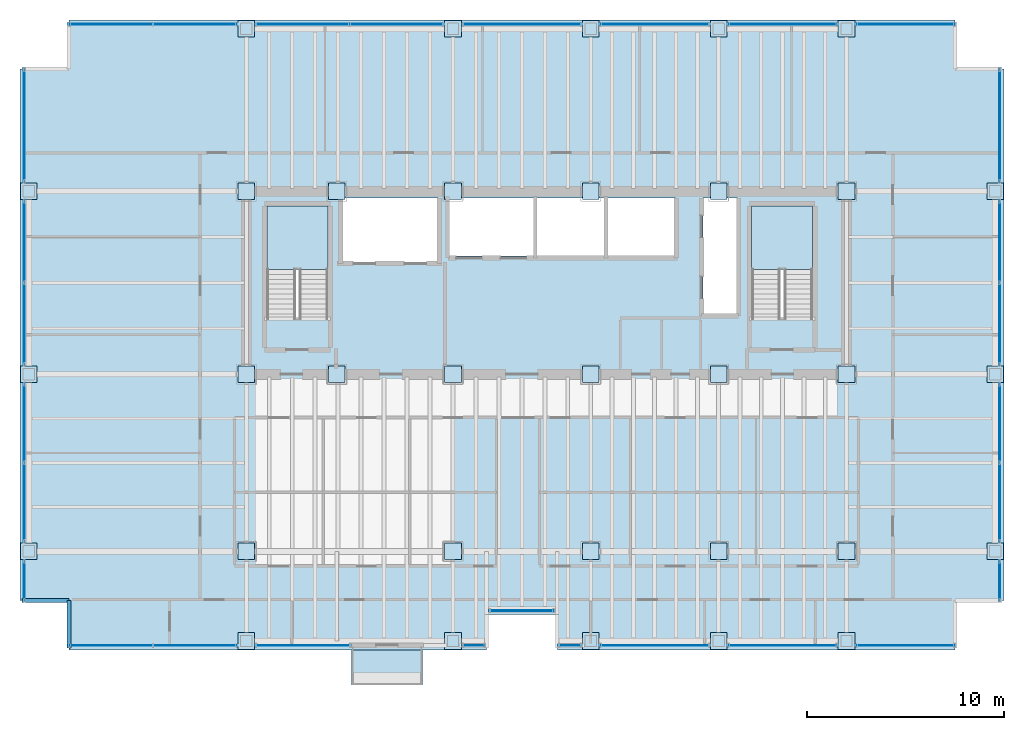
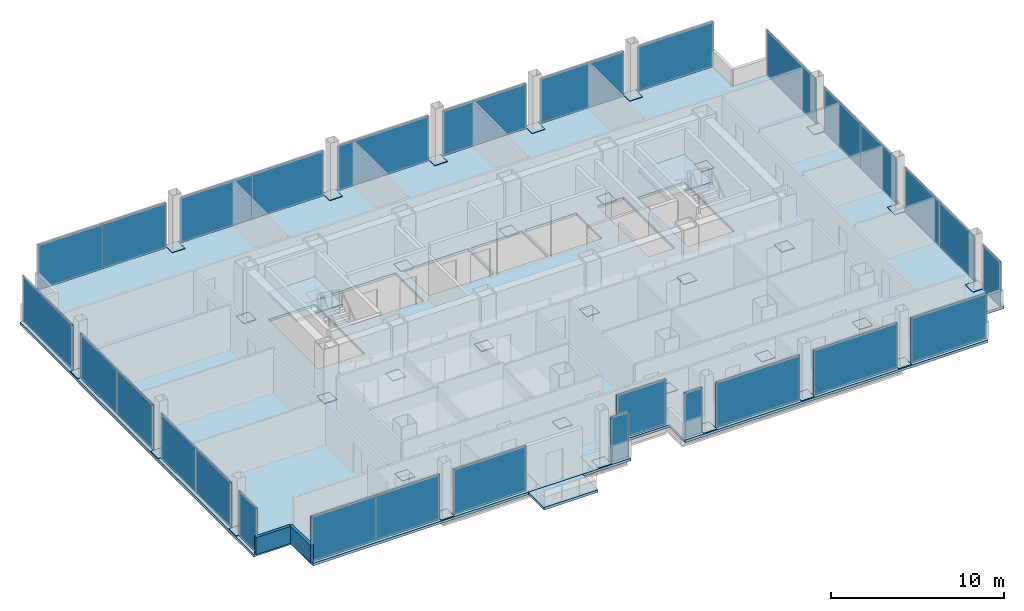
# One storey, part 17 of 21: 62 plates, 4 slabs, 2 walls, 7 openings, 24 elements without a shape of their own.
"""IFC4 building model written with IfcOpenShell, lengths in metres."""

from ifc_helpers import new_model, si_unit, direction, frame, frame_2d, origin, origin_2d, place, context, subcontext, project, spatial, polyline, rectangle, outline, extrude, material, layer, layer_set, type_object, element, aggregate, save


model = new_model("IFC4")

# Units and contexts
model_context = context("Model", 3, precision=1e-05, world=origin(), true_north=direction((0.0, 1.0)))
body_context = subcontext(model_context, "Body", "Model", "MODEL_VIEW")
ifc_project = project(units=[si_unit("LENGTHUNIT", "METRE"), si_unit("AREAUNIT", "SQUARE_METRE"), si_unit("VOLUMEUNIT", "CUBIC_METRE"), si_unit("PLANEANGLEUNIT", "RADIAN"), si_unit("MASSUNIT", "GRAM", prefix="KILO")], contexts=[model_context])

# Site, building, storey
site_placement = place(None, origin())
site = spatial("IfcSite", under=ifc_project, at=site_placement, CompositionType="ELEMENT")
building_placement = place(site_placement, origin())
building = spatial("IfcBuilding", under=site, at=building_placement, Name="Noeulbin Bourse Tower", CompositionType="ELEMENT")
storey_placement = place(building_placement, frame((0.0, 0.0, 30.39990234375)))
storey = spatial("IfcBuildingStorey", under=building, at=storey_placement, Name="L07", CompositionType="ELEMENT", Elevation=30.39990234375)

# Curtain wall, plate
ifc_material_1 = material(Name="Dark Solar-Control Double Glazing", Category="glass")
curtain_wall_type = type_object("IfcCurtainWallType", Name="CW-SYS-2", PredefinedType="NOTDEFINED", material=ifc_material_1)
curtain_wall_1_placement = place(storey_placement, origin())
curtain_wall_1 = element("IfcCurtainWall", 1, at=curtain_wall_1_placement, inside=storey, type_object=curtain_wall_type, Name="Unitised Curtain Wall CW-L07-SREC", PredefinedType="NOTDEFINED")
ifc_layer_1 = layer(ifc_material_1, 0.035888671875)
ifc_layer_set_1 = layer_set([ifc_layer_1], Name="Dark Solar-Control Double Glazing")
plate_type_1 = type_object("IfcPlateType", Name="CW-SYS-2-PNL", PredefinedType="CURTAIN_PANEL", material=ifc_layer_set_1)
plate_1_placement = place(storey_placement, frame((27.5, 16.97998046875, 0.0), z_axis=(0.0, 0.0, 1.0), x_axis=(1.0, 0.0, 0.0)))
plate_1 = element("IfcPlate", 2, at=plate_1_placement, type_object=plate_type_1, Name="Glazed Curtain Panel CW-L07-SREC-P00", PredefinedType="CURTAIN_PANEL", context=body_context, shape_type="SweptSolid", body=[
    extrude(rectangle(XDim=3.300048828125, YDim=0.035888671875, at=origin_2d()), origin(), (0.0, 0.0, 1.0), 3.179931640625),
])
aggregate(curtain_wall_1, [plate_1])

# Curtain wall, plates
curtain_wall_2_placement = place(storey_placement, origin())
curtain_wall_2 = element("IfcCurtainWall", 3, at=curtain_wall_2_placement, inside=storey, type_object=curtain_wall_type, Name="Unitised Curtain Wall CW-L07-S1-S1", PredefinedType="NOTDEFINED")
plate_2_placement = place(storey_placement, frame((6.6201171875, 15.219970703125, 0.0), z_axis=(0.0, 0.0, 1.0), x_axis=(1.0, 0.0, 0.0)))
plate_2 = element("IfcPlate", 4, at=plate_2_placement, type_object=plate_type_1, Name="Glazed Curtain Panel CW-L07-S1-S1-P00", PredefinedType="CURTAIN_PANEL", context=body_context, shape_type="SweptSolid", body=[
    extrude(rectangle(XDim=4.280029296875, YDim=0.035888671875, at=origin_2d()), origin(), (0.0, 0.0, 1.0), 3.179931640625),
])
plate_3_placement = place(storey_placement, frame((10.89990234375, 15.219970703125, 0.0), z_axis=(0.0, 0.0, 1.0), x_axis=(1.0, 0.0, 0.0)))
plate_3 = element("IfcPlate", 5, at=plate_3_placement, type_object=plate_type_1, Name="Glazed Curtain Panel CW-L07-S1-S1-P01", PredefinedType="CURTAIN_PANEL", context=body_context, shape_type="SweptSolid", body=[
    extrude(rectangle(XDim=4.280029296875, YDim=0.035888671875, at=origin_2d()), origin(), (0.0, 0.0, 1.0), 3.179931640625),
])
aggregate(curtain_wall_2, [plate_2, plate_3])

# Curtain wall, plate
curtain_wall_3_placement = place(storey_placement, origin())
curtain_wall_3 = element("IfcCurtainWall", 6, at=curtain_wall_3_placement, inside=storey, type_object=curtain_wall_type, Name="Unitised Curtain Wall CW-L07-S1-S2", PredefinedType="NOTDEFINED")
plate_4_placement = place(storey_placement, frame((16.3798828125, 15.219970703125, 0.0), z_axis=(0.0, 0.0, 1.0), x_axis=(1.0, 0.0, 0.0)))
plate_4 = element("IfcPlate", 7, at=plate_4_placement, type_object=plate_type_1, Name="Glazed Curtain Panel CW-L07-S1-S2-P00", PredefinedType="CURTAIN_PANEL", context=body_context, shape_type="SweptSolid", body=[
    extrude(rectangle(XDim=4.840087890625, YDim=0.035888671875, at=origin_2d()), origin(), (0.0, 0.0, 1.0), 3.179931640625),
])
aggregate(curtain_wall_3, [plate_4])

curtain_wall_4_placement = place(storey_placement, origin())
curtain_wall_4 = element("IfcCurtainWall", 8, at=curtain_wall_4_placement, inside=storey, type_object=curtain_wall_type, Name="Unitised Curtain Wall CW-L07-S2", PredefinedType="NOTDEFINED")
plate_5_placement = place(storey_placement, frame((25.054931640625, 15.219970703125, 0.0), z_axis=(0.0, 0.0, 1.0), x_axis=(1.0, 0.0, 0.0)))
plate_5 = element("IfcPlate", 9, at=plate_5_placement, type_object=plate_type_1, Name="Glazed Curtain Panel CW-L07-S2-P00", PredefinedType="CURTAIN_PANEL", context=body_context, shape_type="SweptSolid", body=[
    extrude(rectangle(XDim=1.18994140625, YDim=0.035888671875, at=origin_2d()), origin(), (0.0, 0.0, 1.0), 3.179931640625),
])
aggregate(curtain_wall_4, [plate_5])

curtain_wall_5_placement = place(storey_placement, origin())
curtain_wall_5 = element("IfcCurtainWall", 10, at=curtain_wall_5_placement, inside=storey, type_object=curtain_wall_type, Name="Unitised Curtain Wall CW-L07-S3-S1", PredefinedType="NOTDEFINED")
plate_6_placement = place(storey_placement, frame((29.945068359375, 15.219970703125, 0.0), z_axis=(0.0, 0.0, 1.0), x_axis=(1.0, 0.0, 0.0)))
plate_6 = element("IfcPlate", 11, at=plate_6_placement, type_object=plate_type_1, Name="Glazed Curtain Panel CW-L07-S3-S1-P00", PredefinedType="CURTAIN_PANEL", context=body_context, shape_type="SweptSolid", body=[
    extrude(rectangle(XDim=1.18994140625, YDim=0.035888671875, at=origin_2d()), origin(), (0.0, 0.0, 1.0), 3.179931640625),
])
aggregate(curtain_wall_5, [plate_6])

curtain_wall_6_placement = place(storey_placement, origin())
curtain_wall_6 = element("IfcCurtainWall", 12, at=curtain_wall_6_placement, inside=storey, type_object=curtain_wall_type, Name="Unitised Curtain Wall CW-L07-S3-S2", PredefinedType="NOTDEFINED")
plate_7_placement = place(storey_placement, frame((34.25, 15.219970703125, 0.0), z_axis=(0.0, 0.0, 1.0), x_axis=(1.0, 0.0, 0.0)))
plate_7 = element("IfcPlate", 13, at=plate_7_placement, type_object=plate_type_1, Name="Glazed Curtain Panel CW-L07-S3-S2-P00", PredefinedType="CURTAIN_PANEL", context=body_context, shape_type="SweptSolid", body=[
    extrude(rectangle(XDim=5.580078125, YDim=0.035888671875, at=origin_2d()), origin(), (0.0, 0.0, 1.0), 3.179931640625),
])
aggregate(curtain_wall_6, [plate_7])

curtain_wall_7_placement = place(storey_placement, origin())
curtain_wall_7 = element("IfcCurtainWall", 14, at=curtain_wall_7_placement, inside=storey, type_object=curtain_wall_type, Name="Unitised Curtain Wall CW-L07-S3-S3", PredefinedType="NOTDEFINED")
plate_8_placement = place(storey_placement, frame((40.75, 15.219970703125, 0.0), z_axis=(0.0, 0.0, 1.0), x_axis=(1.0, 0.0, 0.0)))
plate_8 = element("IfcPlate", 15, at=plate_8_placement, type_object=plate_type_1, Name="Glazed Curtain Panel CW-L07-S3-S3-P00", PredefinedType="CURTAIN_PANEL", context=body_context, shape_type="SweptSolid", body=[
    extrude(rectangle(XDim=5.580078125, YDim=0.035888671875, at=origin_2d()), origin(), (0.0, 0.0, 1.0), 3.179931640625),
])
aggregate(curtain_wall_7, [plate_8])

curtain_wall_8_placement = place(storey_placement, origin())
curtain_wall_8 = element("IfcCurtainWall", 16, at=curtain_wall_8_placement, inside=storey, type_object=curtain_wall_type, Name="Unitised Curtain Wall CW-L07-S3-S4", PredefinedType="NOTDEFINED")
plate_9_placement = place(storey_placement, frame((46.989990234375, 15.219970703125, 0.0), z_axis=(0.0, 0.0, 1.0), x_axis=(1.0, 0.0, 0.0)))
plate_9 = element("IfcPlate", 17, at=plate_9_placement, type_object=plate_type_1, Name="Glazed Curtain Panel CW-L07-S3-S4-P00", PredefinedType="CURTAIN_PANEL", context=body_context, shape_type="SweptSolid", body=[
    extrude(rectangle(XDim=5.06005859375, YDim=0.035888671875, at=origin_2d()), origin(), (0.0, 0.0, 1.0), 3.179931640625),
])
aggregate(curtain_wall_8, [plate_9])

# Curtain wall, plates
curtain_wall_9_placement = place(storey_placement, origin())
curtain_wall_9 = element("IfcCurtainWall", 18, at=curtain_wall_9_placement, inside=storey, type_object=curtain_wall_type, Name="Unitised Curtain Wall CW-L07-N-S1", PredefinedType="NOTDEFINED")
plate_10_placement = place(storey_placement, frame((6.6201171875, 46.780029296875, 0.0), z_axis=(0.0, 0.0, 1.0), x_axis=(1.0, 0.0, 0.0)))
plate_10 = element("IfcPlate", 19, at=plate_10_placement, type_object=plate_type_1, Name="Glazed Curtain Panel CW-L07-N-S1-P00", PredefinedType="CURTAIN_PANEL", context=body_context, shape_type="SweptSolid", body=[
    extrude(rectangle(XDim=4.280029296875, YDim=0.035888671875, at=origin_2d()), origin(), (0.0, 0.0, 1.0), 3.179931640625),
])
plate_11_placement = place(storey_placement, frame((10.89990234375, 46.780029296875, 0.0), z_axis=(0.0, 0.0, 1.0), x_axis=(1.0, 0.0, 0.0)))
plate_11 = element("IfcPlate", 20, at=plate_11_placement, type_object=plate_type_1, Name="Glazed Curtain Panel CW-L07-N-S1-P01", PredefinedType="CURTAIN_PANEL", context=body_context, shape_type="SweptSolid", body=[
    extrude(rectangle(XDim=4.280029296875, YDim=0.035888671875, at=origin_2d()), origin(), (0.0, 0.0, 1.0), 3.179931640625),
])
aggregate(curtain_wall_9, [plate_10, plate_11])

curtain_wall_10_placement = place(storey_placement, origin())
curtain_wall_10 = element("IfcCurtainWall", 21, at=curtain_wall_10_placement, inside=storey, type_object=curtain_wall_type, Name="Unitised Curtain Wall CW-L07-N-S2", PredefinedType="NOTDEFINED")
plate_12_placement = place(storey_placement, frame((16.35498046875, 46.780029296875, 0.0), z_axis=(0.0, 0.0, 1.0), x_axis=(1.0, 0.0, 0.0)))
plate_12 = element("IfcPlate", 22, at=plate_12_placement, type_object=plate_type_1, Name="Glazed Curtain Panel CW-L07-N-S2-P00", PredefinedType="CURTAIN_PANEL", context=body_context, shape_type="SweptSolid", body=[
    extrude(rectangle(XDim=4.7900390625, YDim=0.035888671875, at=origin_2d()), origin(), (0.0, 0.0, 1.0), 3.179931640625),
])
plate_13_placement = place(storey_placement, frame((21.14501953125, 46.780029296875, 0.0), z_axis=(0.0, 0.0, 1.0), x_axis=(1.0, 0.0, 0.0)))
plate_13 = element("IfcPlate", 23, at=plate_13_placement, type_object=plate_type_1, Name="Glazed Curtain Panel CW-L07-N-S2-P01", PredefinedType="CURTAIN_PANEL", context=body_context, shape_type="SweptSolid", body=[
    extrude(rectangle(XDim=4.7900390625, YDim=0.035888671875, at=origin_2d()), origin(), (0.0, 0.0, 1.0), 3.179931640625),
])
aggregate(curtain_wall_10, [plate_12, plate_13])

# Curtain wall, plate
curtain_wall_11_placement = place(storey_placement, origin())
curtain_wall_11 = element("IfcCurtainWall", 24, at=curtain_wall_11_placement, inside=storey, type_object=curtain_wall_type, Name="Unitised Curtain Wall CW-L07-N-S3", PredefinedType="NOTDEFINED")
plate_14_placement = place(storey_placement, frame((27.5, 46.780029296875, 0.0), z_axis=(0.0, 0.0, 1.0), x_axis=(1.0, 0.0, 0.0)))
plate_14 = element("IfcPlate", 25, at=plate_14_placement, type_object=plate_type_1, Name="Glazed Curtain Panel CW-L07-N-S3-P00", PredefinedType="CURTAIN_PANEL", context=body_context, shape_type="SweptSolid", body=[
    extrude(rectangle(XDim=6.080078125, YDim=0.035888671875, at=origin_2d()), origin(), (0.0, 0.0, 1.0), 3.179931640625),
])
aggregate(curtain_wall_11, [plate_14])

curtain_wall_12_placement = place(storey_placement, origin())
curtain_wall_12 = element("IfcCurtainWall", 26, at=curtain_wall_12_placement, inside=storey, type_object=curtain_wall_type, Name="Unitised Curtain Wall CW-L07-N-S4", PredefinedType="NOTDEFINED")
plate_15_placement = place(storey_placement, frame((34.25, 46.780029296875, 0.0), z_axis=(0.0, 0.0, 1.0), x_axis=(1.0, 0.0, 0.0)))
plate_15 = element("IfcPlate", 27, at=plate_15_placement, type_object=plate_type_1, Name="Glazed Curtain Panel CW-L07-N-S4-P00", PredefinedType="CURTAIN_PANEL", context=body_context, shape_type="SweptSolid", body=[
    extrude(rectangle(XDim=5.580078125, YDim=0.035888671875, at=origin_2d()), origin(), (0.0, 0.0, 1.0), 3.179931640625),
])
aggregate(curtain_wall_12, [plate_15])

curtain_wall_13_placement = place(storey_placement, origin())
curtain_wall_13 = element("IfcCurtainWall", 28, at=curtain_wall_13_placement, inside=storey, type_object=curtain_wall_type, Name="Unitised Curtain Wall CW-L07-N-S5", PredefinedType="NOTDEFINED")
plate_16_placement = place(storey_placement, frame((40.75, 46.780029296875, 0.0), z_axis=(0.0, 0.0, 1.0), x_axis=(1.0, 0.0, 0.0)))
plate_16 = element("IfcPlate", 29, at=plate_16_placement, type_object=plate_type_1, Name="Glazed Curtain Panel CW-L07-N-S5-P00", PredefinedType="CURTAIN_PANEL", context=body_context, shape_type="SweptSolid", body=[
    extrude(rectangle(XDim=5.580078125, YDim=0.035888671875, at=origin_2d()), origin(), (0.0, 0.0, 1.0), 3.179931640625),
])
aggregate(curtain_wall_13, [plate_16])

curtain_wall_14_placement = place(storey_placement, origin())
curtain_wall_14 = element("IfcCurtainWall", 30, at=curtain_wall_14_placement, inside=storey, type_object=curtain_wall_type, Name="Unitised Curtain Wall CW-L07-N-S6", PredefinedType="NOTDEFINED")
plate_17_placement = place(storey_placement, frame((46.989990234375, 46.780029296875, 0.0), z_axis=(0.0, 0.0, 1.0), x_axis=(1.0, 0.0, 0.0)))
plate_17 = element("IfcPlate", 31, at=plate_17_placement, type_object=plate_type_1, Name="Glazed Curtain Panel CW-L07-N-S6-P00", PredefinedType="CURTAIN_PANEL", context=body_context, shape_type="SweptSolid", body=[
    extrude(rectangle(XDim=5.06005859375, YDim=0.035888671875, at=origin_2d()), origin(), (0.0, 0.0, 1.0), 3.179931640625),
])
aggregate(curtain_wall_14, [plate_17])

curtain_wall_15_placement = place(storey_placement, origin())
curtain_wall_15 = element("IfcCurtainWall", 32, at=curtain_wall_15_placement, inside=storey, type_object=curtain_wall_type, Name="Unitised Curtain Wall CW-L07-W-S1", PredefinedType="NOTDEFINED")
plate_18_placement = place(storey_placement, frame((2.219970703125, 18.510009765625, 0.0), z_axis=(0.0, 0.0, 1.0), x_axis=(0.0, 1.0, 0.0)))
plate_18 = element("IfcPlate", 33, at=plate_18_placement, type_object=plate_type_1, Name="Glazed Curtain Panel CW-L07-W-S1-P00", PredefinedType="CURTAIN_PANEL", context=body_context, shape_type="SweptSolid", body=[
    extrude(rectangle(XDim=2.06005859375, YDim=0.035888671875, at=origin_2d()), origin(), (0.0, 0.0, 1.0), 3.179931640625),
])
aggregate(curtain_wall_15, [plate_18])

# Curtain wall, plates
curtain_wall_16_placement = place(storey_placement, origin())
curtain_wall_16 = element("IfcCurtainWall", 34, at=curtain_wall_16_placement, inside=storey, type_object=curtain_wall_type, Name="Unitised Curtain Wall CW-L07-W-S2", PredefinedType="NOTDEFINED")
plate_19_placement = place(storey_placement, frame((2.219970703125, 22.47998046875, 0.0), z_axis=(0.0, 0.0, 1.0), x_axis=(0.0, 1.0, 0.0)))
plate_19 = element("IfcPlate", 35, at=plate_19_placement, type_object=plate_type_1, Name="Glazed Curtain Panel CW-L07-W-S2-P00", PredefinedType="CURTAIN_PANEL", context=body_context, shape_type="SweptSolid", body=[
    extrude(rectangle(XDim=4.0400390625, YDim=0.035888671875, at=origin_2d()), origin(), (0.0, 0.0, 1.0), 3.179931640625),
])
plate_20_placement = place(storey_placement, frame((2.219970703125, 26.52001953125, 0.0), z_axis=(0.0, 0.0, 1.0), x_axis=(0.0, 1.0, 0.0)))
plate_20 = element("IfcPlate", 36, at=plate_20_placement, type_object=plate_type_1, Name="Glazed Curtain Panel CW-L07-W-S2-P01", PredefinedType="CURTAIN_PANEL", context=body_context, shape_type="SweptSolid", body=[
    extrude(rectangle(XDim=4.0400390625, YDim=0.035888671875, at=origin_2d()), origin(), (0.0, 0.0, 1.0), 3.179931640625),
])
aggregate(curtain_wall_16, [plate_19, plate_20])

curtain_wall_17_placement = place(storey_placement, origin())
curtain_wall_17 = element("IfcCurtainWall", 37, at=curtain_wall_17_placement, inside=storey, type_object=curtain_wall_type, Name="Unitised Curtain Wall CW-L07-W-S3", PredefinedType="NOTDEFINED")
plate_21_placement = place(storey_placement, frame((2.219970703125, 31.554931640625, 0.0), z_axis=(0.0, 0.0, 1.0), x_axis=(0.0, 1.0, 0.0)))
plate_21 = element("IfcPlate", 38, at=plate_21_placement, type_object=plate_type_1, Name="Glazed Curtain Panel CW-L07-W-S3-P00", PredefinedType="CURTAIN_PANEL", context=body_context, shape_type="SweptSolid", body=[
    extrude(rectangle(XDim=4.18994140625, YDim=0.035888671875, at=origin_2d()), origin(), (0.0, 0.0, 1.0), 3.179931640625),
])
plate_22_placement = place(storey_placement, frame((2.219970703125, 35.7451171875, 0.0), z_axis=(0.0, 0.0, 1.0), x_axis=(0.0, 1.0, 0.0)))
plate_22 = element("IfcPlate", 39, at=plate_22_placement, type_object=plate_type_1, Name="Glazed Curtain Panel CW-L07-W-S3-P01", PredefinedType="CURTAIN_PANEL", context=body_context, shape_type="SweptSolid", body=[
    extrude(rectangle(XDim=4.18994140625, YDim=0.035888671875, at=origin_2d()), origin(), (0.0, 0.0, 1.0), 3.179931640625),
])
aggregate(curtain_wall_17, [plate_21, plate_22])

# Curtain wall, plate
curtain_wall_18_placement = place(storey_placement, origin())
curtain_wall_18 = element("IfcCurtainWall", 40, at=curtain_wall_18_placement, inside=storey, type_object=curtain_wall_type, Name="Unitised Curtain Wall CW-L07-W-S4", PredefinedType="NOTDEFINED")
plate_23_placement = place(storey_placement, frame((2.219970703125, 41.639892578125, 0.0), z_axis=(0.0, 0.0, 1.0), x_axis=(0.0, 1.0, 0.0)))
plate_23 = element("IfcPlate", 41, at=plate_23_placement, type_object=plate_type_1, Name="Glazed Curtain Panel CW-L07-W-S4-P00", PredefinedType="CURTAIN_PANEL", context=body_context, shape_type="SweptSolid", body=[
    extrude(rectangle(XDim=5.760009765625, YDim=0.035888671875, at=origin_2d()), origin(), (0.0, 0.0, 1.0), 3.179931640625),
])
aggregate(curtain_wall_18, [plate_23])

curtain_wall_19_placement = place(storey_placement, origin())
curtain_wall_19 = element("IfcCurtainWall", 42, at=curtain_wall_19_placement, inside=storey, type_object=curtain_wall_type, Name="Unitised Curtain Wall CW-L07-E-S1", PredefinedType="NOTDEFINED")
plate_24_placement = place(storey_placement, frame((51.780029296875, 18.510009765625, 0.0), z_axis=(0.0, 0.0, 1.0), x_axis=(0.0, 1.0, 0.0)))
plate_24 = element("IfcPlate", 43, at=plate_24_placement, type_object=plate_type_1, Name="Glazed Curtain Panel CW-L07-E-S1-P00", PredefinedType="CURTAIN_PANEL", context=body_context, shape_type="SweptSolid", body=[
    extrude(rectangle(XDim=2.06005859375, YDim=0.035888671875, at=origin_2d()), origin(), (0.0, 0.0, 1.0), 3.179931640625),
])
aggregate(curtain_wall_19, [plate_24])

# Curtain wall, plates
curtain_wall_20_placement = place(storey_placement, origin())
curtain_wall_20 = element("IfcCurtainWall", 44, at=curtain_wall_20_placement, inside=storey, type_object=curtain_wall_type, Name="Unitised Curtain Wall CW-L07-E-S2", PredefinedType="NOTDEFINED")
plate_25_placement = place(storey_placement, frame((51.780029296875, 22.47998046875, 0.0), z_axis=(0.0, 0.0, 1.0), x_axis=(0.0, 1.0, 0.0)))
plate_25 = element("IfcPlate", 45, at=plate_25_placement, type_object=plate_type_1, Name="Glazed Curtain Panel CW-L07-E-S2-P00", PredefinedType="CURTAIN_PANEL", context=body_context, shape_type="SweptSolid", body=[
    extrude(rectangle(XDim=4.0400390625, YDim=0.035888671875, at=origin_2d()), origin(), (0.0, 0.0, 1.0), 3.179931640625),
])
plate_26_placement = place(storey_placement, frame((51.780029296875, 26.52001953125, 0.0), z_axis=(0.0, 0.0, 1.0), x_axis=(0.0, 1.0, 0.0)))
plate_26 = element("IfcPlate", 46, at=plate_26_placement, type_object=plate_type_1, Name="Glazed Curtain Panel CW-L07-E-S2-P01", PredefinedType="CURTAIN_PANEL", context=body_context, shape_type="SweptSolid", body=[
    extrude(rectangle(XDim=4.0400390625, YDim=0.035888671875, at=origin_2d()), origin(), (0.0, 0.0, 1.0), 3.179931640625),
])
aggregate(curtain_wall_20, [plate_25, plate_26])

curtain_wall_21_placement = place(storey_placement, origin())
curtain_wall_21 = element("IfcCurtainWall", 47, at=curtain_wall_21_placement, inside=storey, type_object=curtain_wall_type, Name="Unitised Curtain Wall CW-L07-E-S3", PredefinedType="NOTDEFINED")
plate_27_placement = place(storey_placement, frame((51.780029296875, 31.554931640625, 0.0), z_axis=(0.0, 0.0, 1.0), x_axis=(0.0, 1.0, 0.0)))
plate_27 = element("IfcPlate", 48, at=plate_27_placement, type_object=plate_type_1, Name="Glazed Curtain Panel CW-L07-E-S3-P00", PredefinedType="CURTAIN_PANEL", context=body_context, shape_type="SweptSolid", body=[
    extrude(rectangle(XDim=4.18994140625, YDim=0.035888671875, at=origin_2d()), origin(), (0.0, 0.0, 1.0), 3.179931640625),
])
plate_28_placement = place(storey_placement, frame((51.780029296875, 35.7451171875, 0.0), z_axis=(0.0, 0.0, 1.0), x_axis=(0.0, 1.0, 0.0)))
plate_28 = element("IfcPlate", 49, at=plate_28_placement, type_object=plate_type_1, Name="Glazed Curtain Panel CW-L07-E-S3-P01", PredefinedType="CURTAIN_PANEL", context=body_context, shape_type="SweptSolid", body=[
    extrude(rectangle(XDim=4.18994140625, YDim=0.035888671875, at=origin_2d()), origin(), (0.0, 0.0, 1.0), 3.179931640625),
])
aggregate(curtain_wall_21, [plate_27, plate_28])

# Curtain wall, plate
curtain_wall_22_placement = place(storey_placement, origin())
curtain_wall_22 = element("IfcCurtainWall", 50, at=curtain_wall_22_placement, inside=storey, type_object=curtain_wall_type, Name="Unitised Curtain Wall CW-L07-E-S4", PredefinedType="NOTDEFINED")
plate_29_placement = place(storey_placement, frame((51.780029296875, 41.639892578125, 0.0), z_axis=(0.0, 0.0, 1.0), x_axis=(0.0, 1.0, 0.0)))
plate_29 = element("IfcPlate", 51, at=plate_29_placement, type_object=plate_type_1, Name="Glazed Curtain Panel CW-L07-E-S4-P00", PredefinedType="CURTAIN_PANEL", context=body_context, shape_type="SweptSolid", body=[
    extrude(rectangle(XDim=5.760009765625, YDim=0.035888671875, at=origin_2d()), origin(), (0.0, 0.0, 1.0), 3.179931640625),
])
aggregate(curtain_wall_22, [plate_29])

# Plates
ifc_material_2 = material(Name="Steel S355", Category="steel")
ifc_layer_2 = layer(ifc_material_2, 0.030029296875)
ifc_layer_set_2 = layer_set([ifc_layer_2], Name="Steel S355")
plate_type_2 = type_object("IfcPlateType", Name="PLT-BN1", PredefinedType="USERDEFINED", material=ifc_layer_set_2)
for number, where, z_axis, x_axis, name in (
    (52, (13.5, 29.0, 0.0048828125), (0.0, 0.0, 1.0), (1.0, 0.0, 0.0), "Mega-Column Splice Plate BN1-L07-01"),
    (53, (13.5, 38.300048828125, 0.0048828125), (0.0, 0.0, 1.0), (1.0, 0.0, 0.0), "Mega-Column Splice Plate BN1-L07-02"),
    (54, (18.10009765625, 29.0, 0.0048828125), (0.0, 0.0, 1.0), (1.0, 0.0, 0.0), "Mega-Column Splice Plate BN1-L07-03"),
    (55, (18.10009765625, 38.300048828125, 0.0048828125), (0.0, 0.0, 1.0), (1.0, 0.0, 0.0), "Mega-Column Splice Plate BN1-L07-04"),
    (56, (24.0, 29.0, 0.0048828125), (0.0, 0.0, 1.0), (1.0, 0.0, 0.0), "Mega-Column Splice Plate BN1-L07-05"),
    (57, (24.0, 38.300048828125, 0.0048828125), (0.0, 0.0, 1.0), (1.0, 0.0, 0.0), "Mega-Column Splice Plate BN1-L07-06"),
    (58, (31.0, 29.0, 0.0048828125), (0.0, 0.0, 1.0), (1.0, 0.0, 0.0), "Mega-Column Splice Plate BN1-L07-07"),
    (59, (31.0, 38.300048828125, 0.0048828125), (0.0, 0.0, 1.0), (1.0, 0.0, 0.0), "Mega-Column Splice Plate BN1-L07-08"),
    (60, (37.5, 29.0, 0.0048828125), (0.0, 0.0, 1.0), (1.0, 0.0, 0.0), "Mega-Column Splice Plate BN1-L07-09"),
    (61, (37.5, 38.300048828125, 0.0048828125), (0.0, 0.0, 1.0), (1.0, 0.0, 0.0), "Mega-Column Splice Plate BN1-L07-10"),
    (62, (44.0, 29.0, 0.0048828125), (0.0, 0.0, 1.0), (1.0, 0.0, 0.0), "Mega-Column Splice Plate BN1-L07-11"),
    (63, (44.0, 38.300048828125, 0.0048828125), (0.0, 0.0, 1.0), (1.0, 0.0, 0.0), "Mega-Column Splice Plate BN1-L07-12"),
    (64, (13.5, 20.0, 0.0048828125), (0.0, 0.0, 1.0), (1.0, 0.0, 0.0), "Mega-Column Splice Plate BN1-L07-13"),
    (65, (24.0, 20.0, 0.0048828125), (0.0, 0.0, 1.0), (1.0, 0.0, 0.0), "Mega-Column Splice Plate BN1-L07-14"),
    (66, (31.0, 20.0, 0.0048828125), (0.0, 0.0, 1.0), (1.0, 0.0, 0.0), "Mega-Column Splice Plate BN1-L07-15"),
    (67, (37.5, 20.0, 0.0048828125), (0.0, 0.0, 1.0), (1.0, 0.0, 0.0), "Mega-Column Splice Plate BN1-L07-16"),
    (68, (44.0, 20.0, 0.0048828125), (0.0, 0.0, 1.0), (1.0, 0.0, 0.0), "Mega-Column Splice Plate BN1-L07-17"),
    (69, (2.449951171875, 20.0, 0.0048828125), (0.0, 0.0, 1.0), (1.0, 0.0, 0.0), "Perimeter Column Splice Plate BN1-L07-01"),
    (70, (2.449951171875, 29.0, 0.0048828125), (0.0, 0.0, 1.0), (1.0, 0.0, 0.0), "Perimeter Column Splice Plate BN1-L07-02"),
    (71, (2.449951171875, 38.300048828125, 0.0048828125), (0.0, 0.0, 1.0), (1.0, 0.0, 0.0), "Perimeter Column Splice Plate BN1-L07-03"),
    (72, (13.5, 15.449951171875, 0.0048828125), (0.0, 0.0, 1.0), (1.0, 0.0, 0.0), "Perimeter Column Splice Plate BN1-L07-04"),
    (73, (13.5, 46.550048828125, 0.0048828125), (0.0, 0.0, 1.0), (1.0, 0.0, 0.0), "Perimeter Column Splice Plate BN1-L07-05"),
    (74, (24.0, 15.449951171875, 0.0048828125), (0.0, 0.0, 1.0), (1.0, 0.0, 0.0), "Perimeter Column Splice Plate BN1-L07-06"),
    (75, (24.0, 46.550048828125, 0.0048828125), (0.0, 0.0, 1.0), (1.0, 0.0, 0.0), "Perimeter Column Splice Plate BN1-L07-07"),
    (76, (31.0, 15.449951171875, 0.0048828125), (0.0, 0.0, 1.0), (1.0, 0.0, 0.0), "Perimeter Column Splice Plate BN1-L07-08"),
    (77, (31.0, 46.550048828125, 0.0048828125), (0.0, 0.0, 1.0), (1.0, 0.0, 0.0), "Perimeter Column Splice Plate BN1-L07-09"),
    (78, (37.5, 15.449951171875, 0.0048828125), (0.0, 0.0, 1.0), (1.0, 0.0, 0.0), "Perimeter Column Splice Plate BN1-L07-10"),
    (79, (37.5, 46.550048828125, 0.0048828125), (0.0, 0.0, 1.0), (1.0, 0.0, 0.0), "Perimeter Column Splice Plate BN1-L07-11"),
    (80, (44.0, 15.449951171875, 0.0048828125), (0.0, 0.0, 1.0), (1.0, 0.0, 0.0), "Perimeter Column Splice Plate BN1-L07-12"),
    (81, (44.0, 46.550048828125, 0.0048828125), (0.0, 0.0, 1.0), (1.0, 0.0, 0.0), "Perimeter Column Splice Plate BN1-L07-13"),
    (82, (51.550048828125, 20.0, 0.0048828125), (0.0, 0.0, 1.0), (1.0, 0.0, 0.0), "Perimeter Column Splice Plate BN1-L07-14"),
    (83, (51.550048828125, 29.0, 0.0048828125), (0.0, 0.0, 1.0), (1.0, 0.0, 0.0), "Perimeter Column Splice Plate BN1-L07-15"),
    (84, (51.550048828125, 38.300048828125, 0.0048828125), (0.0, 0.0, 1.0), (1.0, 0.0, 0.0), "Perimeter Column Splice Plate BN1-L07-16"),
):
    element("IfcPlate", number, at=place(storey_placement, frame(where, z_axis=z_axis, x_axis=x_axis)), inside=storey, type_object=plate_type_2, Name=name, ObjectType="SPLICE PLATE", PredefinedType="USERDEFINED", context=body_context, shape_type="SweptSolid", body=[
        extrude(rectangle(XDim=0.85009765625, YDim=0.85009765625, at=origin_2d()), origin(), (0.0, 0.0, 1.0), 0.030029296875),
    ])

# Stair, slab
ifc_material_3 = material(Name="Concrete C40/50", Category="concrete")
stair_type = type_object("IfcStairType", Name="STR-CORE-1560", PredefinedType="HALF_TURN_STAIR", material=ifc_material_3)
stair_1_placement = place(storey_placement, origin())
stair_1 = element("IfcStair", 85, at=stair_1_placement, inside=storey, type_object=stair_type, Name="L07 ST-1", PredefinedType="HALF_TURN_STAIR")
ifc_layer_3 = layer(ifc_material_3, 0.199951171875)
ifc_layer_set_3 = layer_set([ifc_layer_3], Name="Concrete C40/50")
slab_type_1 = type_object("IfcSlabType", Name="SLB-LND-200", PredefinedType="LANDING", material=ifc_layer_set_3)
slab_1_placement = place(storey_placement, frame((0.0, 0.0, 1.75)))
slab_1 = element("IfcSlab", 86, at=slab_1_placement, type_object=slab_type_1, Name="ST-1 landing 1", PredefinedType="LANDING", context=body_context, shape_type="SweptSolid", body=[
    extrude(outline(polyline([(17.64990234375, 34.330078125), (17.64990234375, 37.5439453125), (14.550048828125, 37.5439453125), (14.550048828125, 34.330078125), (17.64990234375, 34.330078125)])), origin(), (0.0, 0.0, 1.0), 0.2001953125),
])
aggregate(stair_1, [slab_1])

stair_2_placement = place(storey_placement, origin())
stair_2 = element("IfcStair", 87, at=stair_2_placement, inside=storey, type_object=stair_type, Name="L07 ST-2", PredefinedType="HALF_TURN_STAIR")
slab_2_placement = place(storey_placement, frame((0.0, 0.0, 1.75)))
slab_2 = element("IfcSlab", 88, at=slab_2_placement, type_object=slab_type_1, Name="ST-2 landing 1", PredefinedType="LANDING", context=body_context, shape_type="SweptSolid", body=[
    extrude(outline(polyline([(42.280029296875, 34.330078125), (42.280029296875, 37.5439453125), (39.179931640625, 37.5439453125), (39.179931640625, 34.330078125), (42.280029296875, 34.330078125)])), origin(), (0.0, 0.0, 1.0), 0.2001953125),
])
aggregate(stair_2, [slab_2])

# Slab, openings
ifc_layer_4 = layer(ifc_material_3, 0.179931640625)
ifc_layer_set_4 = layer_set([ifc_layer_4], Name="Concrete C40/50")
slab_type_2 = type_object("IfcSlabType", Name="SLB-TYP-180", PredefinedType="FLOOR", material=ifc_layer_set_4)
slab_3_placement = place(storey_placement, frame((0.0, 0.0, -0.179931640625)))
slab_3 = element("IfcSlab", 89, at=slab_3_placement, inside=storey, type_object=slab_type_2, Name="Tower Structural Floor Slab L07", PredefinedType="FLOOR", context=body_context, shape_type="SweptSolid", body=[
    extrude(outline(polyline([(4.5, 15.0), (25.699951171875, 15.0), (25.699951171875, 16.800048828125), (29.300048828125, 16.800048828125), (29.300048828125, 15.0), (49.5, 15.0), (49.5, 17.5), (52.0, 17.5), (52.0, 44.5), (49.5, 44.5), (49.5, 47.0), (4.5, 47.0), (4.5, 44.5), (2.0, 44.5), (2.0, 17.5), (4.5, 17.5), (4.5, 15.0)]), holes=[polyline([(17.64990234375, 31.81005859375), (17.64990234375, 37.5439453125), (14.550048828125, 37.5439453125), (14.550048828125, 31.81005859375), (17.64990234375, 31.81005859375)]), polyline([(42.280029296875, 31.81005859375), (42.280029296875, 37.5439453125), (39.179931640625, 37.5439453125), (39.179931640625, 31.81005859375), (42.280029296875, 31.81005859375)]), polyline([(18.35009765625, 34.699951171875), (23.25, 34.699951171875), (23.25, 37.949951171875), (18.35009765625, 37.949951171875), (18.35009765625, 34.699951171875)]), polyline([(36.699951171875, 32.050048828125), (38.449951171875, 32.050048828125), (38.449951171875, 37.949951171875), (36.699951171875, 37.949951171875), (36.699951171875, 32.050048828125)]), polyline([(23.800048828125, 35.0), (28.10009765625, 35.0), (28.10009765625, 37.949951171875), (23.800048828125, 37.949951171875), (23.800048828125, 35.0)]), polyline([(28.25, 35.0), (31.699951171875, 35.0), (31.699951171875, 37.949951171875), (28.25, 37.949951171875), (28.25, 35.0)]), polyline([(31.85009765625, 35.0), (35.300048828125, 35.0), (35.300048828125, 37.949951171875), (31.85009765625, 37.949951171875), (31.85009765625, 35.0)])]), origin(), (0.0, 0.0, 1.0), 0.179931640625),
])
opening_1_placement = place(slab_3_placement, frame((0.0, 0.0, -0.010009765625)))
element("IfcOpeningElement", 90, at=opening_1_placement, cuts=slab_3, Name="Slab Shaft Opening SLB-L07-TWR-1", PredefinedType="OPENING", context=body_context, shape_type="SweptSolid", body=[
    extrude(outline(polyline([(17.64990234375, 31.81005859375), (17.64990234375, 37.5439453125), (14.550048828125, 37.5439453125), (14.550048828125, 31.81005859375), (17.64990234375, 31.81005859375)])), origin(), (0.0, 0.0, 1.0), 0.199951171875),
])
opening_2_placement = place(slab_3_placement, frame((0.0, 0.0, -0.010009765625)))
element("IfcOpeningElement", 91, at=opening_2_placement, cuts=slab_3, Name="Slab Shaft Opening SLB-L07-TWR-2", PredefinedType="OPENING", context=body_context, shape_type="SweptSolid", body=[
    extrude(outline(polyline([(42.280029296875, 31.81005859375), (42.280029296875, 37.5439453125), (39.179931640625, 37.5439453125), (39.179931640625, 31.81005859375), (42.280029296875, 31.81005859375)])), origin(), (0.0, 0.0, 1.0), 0.199951171875),
])
opening_3_placement = place(slab_3_placement, frame((0.0, 0.0, -0.010009765625)))
element("IfcOpeningElement", 92, at=opening_3_placement, cuts=slab_3, Name="Slab Shaft Opening SLB-L07-TWR-3", PredefinedType="OPENING", context=body_context, shape_type="SweptSolid", body=[
    extrude(outline(polyline([(18.35009765625, 34.699951171875), (23.25, 34.699951171875), (23.25, 37.949951171875), (18.35009765625, 37.949951171875), (18.35009765625, 34.699951171875)])), origin(), (0.0, 0.0, 1.0), 0.199951171875),
])
opening_4_placement = place(slab_3_placement, frame((0.0, 0.0, -0.010009765625)))
element("IfcOpeningElement", 93, at=opening_4_placement, cuts=slab_3, Name="Slab Shaft Opening SLB-L07-TWR-4", PredefinedType="OPENING", context=body_context, shape_type="SweptSolid", body=[
    extrude(outline(polyline([(36.699951171875, 32.050048828125), (38.449951171875, 32.050048828125), (38.449951171875, 37.949951171875), (36.699951171875, 37.949951171875), (36.699951171875, 32.050048828125)])), origin(), (0.0, 0.0, 1.0), 0.199951171875),
])
opening_5_placement = place(slab_3_placement, frame((0.0, 0.0, -0.010009765625)))
element("IfcOpeningElement", 94, at=opening_5_placement, cuts=slab_3, Name="Slab Shaft Opening SLB-L07-TWR-5", PredefinedType="OPENING", context=body_context, shape_type="SweptSolid", body=[
    extrude(outline(polyline([(23.800048828125, 35.0), (28.10009765625, 35.0), (28.10009765625, 37.949951171875), (23.800048828125, 37.949951171875), (23.800048828125, 35.0)])), origin(), (0.0, 0.0, 1.0), 0.199951171875),
])
opening_6_placement = place(slab_3_placement, frame((0.0, 0.0, -0.010009765625)))
element("IfcOpeningElement", 95, at=opening_6_placement, cuts=slab_3, Name="Slab Shaft Opening SLB-L07-TWR-6", PredefinedType="OPENING", context=body_context, shape_type="SweptSolid", body=[
    extrude(outline(polyline([(28.25, 35.0), (31.699951171875, 35.0), (31.699951171875, 37.949951171875), (28.25, 37.949951171875), (28.25, 35.0)])), origin(), (0.0, 0.0, 1.0), 0.199951171875),
])
opening_7_placement = place(slab_3_placement, frame((0.0, 0.0, -0.010009765625)))
element("IfcOpeningElement", 96, at=opening_7_placement, cuts=slab_3, Name="Slab Shaft Opening SLB-L07-TWR-7", PredefinedType="OPENING", context=body_context, shape_type="SweptSolid", body=[
    extrude(outline(polyline([(31.85009765625, 35.0), (35.300048828125, 35.0), (35.300048828125, 37.949951171875), (31.85009765625, 37.949951171875), (31.85009765625, 35.0)])), origin(), (0.0, 0.0, 1.0), 0.199951171875),
])

# Slab
slab_4_placement = place(storey_placement, frame((0.0, 0.0, -0.179931640625)))
element("IfcSlab", 97, at=slab_4_placement, inside=storey, type_object=slab_type_2, Name="Cantilevered Tree-Balcony Slab L07", PredefinedType="FLOOR", context=body_context, shape_type="SweptSolid", body=[
    extrude(outline(polyline([(18.85009765625, 13.199951171875), (22.449951171875, 13.199951171875), (22.449951171875, 15.0), (18.85009765625, 15.0), (18.85009765625, 13.199951171875)])), origin(), (0.0, 0.0, 1.0), 0.179931640625),
])

# Walls
ifc_layer_5 = layer(ifc_material_3, 0.199951171875)
ifc_layer_set_5 = layer_set([ifc_layer_5], Name="Concrete C40/50")
wall_type = type_object("IfcWallType", Name="WAL-PAR-200", PredefinedType="PARAPET", material=ifc_layer_set_5)
for number, where, z_axis, x_axis, name in (
    (98, (2.10009765625, 17.5, 0.0), (0.0, 0.0, 1.0), (1.0, 0.0, 0.0), "Corner Notch Parapet L07-SW1"),
    (99, (4.5, 17.5, 0.0), (0.0, 0.0, 1.0), (0.0, -1.0, 0.0), "Corner Notch Parapet L07-SW2"),
):
    element("IfcWall", number, at=place(storey_placement, frame(where, z_axis=z_axis, x_axis=x_axis)), inside=storey, type_object=wall_type, Name=name, PredefinedType="PARAPET", context=body_context, shape_type="SweptSolid", body=[
        extrude(rectangle(XDim=2.39990234375, YDim=0.199951171875, at=frame_2d((1.199951171875, 0.0))), origin(), (0.0, 0.0, 1.0), 1.2001953125),
    ])

save(model, "model.ifc")
